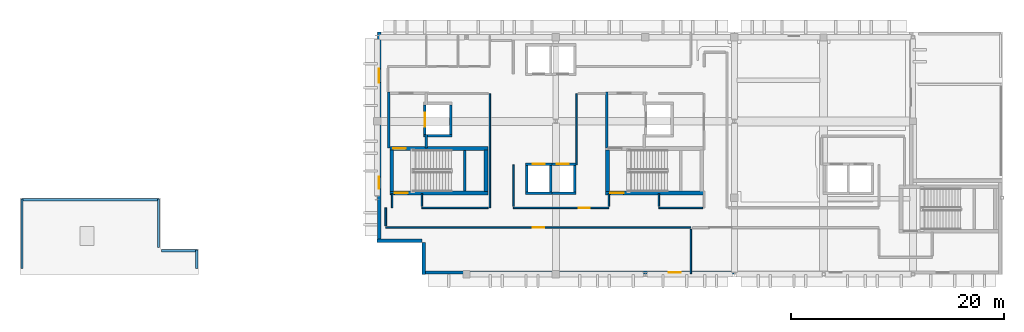
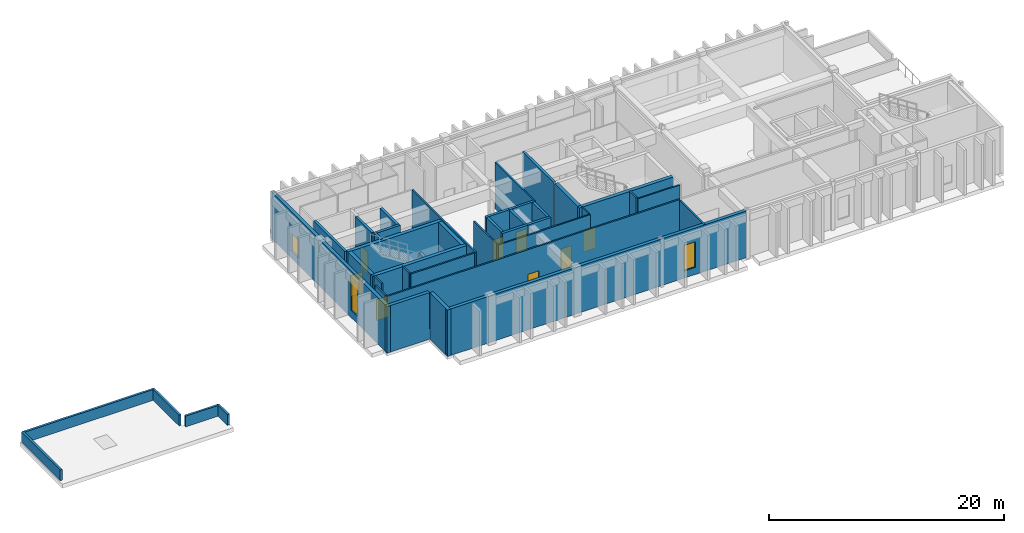
# One storey, part 5 of 9: 42 walls, 8 doors, 3 windows, 11 openings.
"""IFC4 building model written with IfcOpenShell, lengths in metres."""

from ifc_helpers import new_model, si_unit, direction, frame, frame_2d, origin, place, context, subcontext, project, spatial, rectangle, extrude, material, layer, layer_set, type_object, element, fill, save


model = new_model("IFC4")

# Units and contexts
model_context = context("Model", 3, precision=1e-05, world=origin(), true_north=direction((0.0, 1.0)))
body_context = subcontext(model_context, "Body", "Model", "MODEL_VIEW")
ifc_project = project(units=[si_unit("LENGTHUNIT", "METRE"), si_unit("AREAUNIT", "SQUARE_METRE"), si_unit("VOLUMEUNIT", "CUBIC_METRE"), si_unit("PLANEANGLEUNIT", "RADIAN"), si_unit("MASSUNIT", "GRAM", prefix="KILO")], contexts=[model_context])

# Site, building, storey
site_placement = place(None, origin())
site = spatial("IfcSite", under=ifc_project, at=site_placement, CompositionType="ELEMENT")
building_placement = place(site_placement, origin())
building = spatial("IfcBuilding", under=site, at=building_placement, Name="Quendrovan Civic Courthouse", CompositionType="ELEMENT")
storey_placement = place(building_placement, frame((0.0, 0.0, 30.60009765625)))
storey = spatial("IfcBuildingStorey", under=building, at=storey_placement, Name="L07", CompositionType="ELEMENT", Elevation=30.60009765625)

# Wall, opening, door
ifc_material_1 = material(Name="Acoustic gypsum stud partition")
ifc_layer_1 = layer(ifc_material_1, 0.139892578125, Name="Acoustic gypsum stud partition")
ifc_layer_set_1 = layer_set([ifc_layer_1], Name="Acoustic gypsum stud partition")
wall_type_1 = type_object("IfcWallType", Name="WL-CHM-140", PredefinedType="PARTITIONING", material=ifc_layer_set_1)
wall_1_placement = place(storey_placement, frame((55.39990234375, 93.85009765625, 0.0), z_axis=(0.0, 0.0, 1.0), x_axis=(-1.0, 0.0, 0.0)))
wall_1 = element("IfcWall", 1, at=wall_1_placement, inside=storey, type_object=wall_type_1, Name="L07 Appellate Judges' Chambers Partition 0829", PredefinedType="PARTITIONING", context=body_context, shape_type="SweptSolid", body=[
    extrude(rectangle(XDim=9.0, YDim=0.139892578125, at=frame_2d((4.5, 0.0))), origin(), (0.0, 0.0, 1.0), 4.83984375),
])
opening_1_placement = place(wall_1_placement, frame((1.820068359375, 0.0, 0.0)))
opening_1 = element("IfcOpeningElement", 2, at=opening_1_placement, cuts=wall_1, Name="Opening D-L07-118", PredefinedType="OPENING", context=body_context, shape_type="SweptSolid", body=[
    extrude(rectangle(XDim=1.0400390625, YDim=2.260009765625, at=frame_2d((0.52001953125, 1.1298828125))), frame((0.0, 0.080078125, 0.0), z_axis=(0.0, -1.0, 0.0), x_axis=(1.0, 0.0, 0.0)), (0.0, 0.0, 1.0), 0.159912109375),
])
ifc_material_2 = material(Name="Solid Western Red Cedar timber door", Category="wood")
door_type_1 = type_object("IfcDoorType", Name="DR-CHM-1040", OperationType="NOTDEFINED", PredefinedType="DOOR", material=ifc_material_2)
door_1_placement = place(opening_1_placement, origin())
door_1 = element("IfcDoor", 3, at=door_1_placement, inside=storey, type_object=door_type_1, Name="L07 Appellate Judges' Chambers Door D-L07-118", OperationType="SINGLE_SWING_LEFT", OverallHeight=2.260009765625, OverallWidth=1.0400390625, PredefinedType="DOOR", context=body_context, shape_type="SweptSolid", body=[
    extrude(rectangle(XDim=1.0400390625, YDim=2.260009765625, at=frame_2d((0.52001953125, 1.1298828125))), frame((0.0, 0.02490234375, 0.0), z_axis=(0.0, -1.0, 0.0), x_axis=(1.0, 0.0, 0.0)), (0.0, 0.0, 1.0), 0.050048828125),
])
fill(opening_1, door_1)

# Walls
wall_2_placement = place(storey_placement, frame((52.35009765625, 97.89990234375, 0.0), z_axis=(0.0, 0.0, 1.0), x_axis=(0.0, 1.0, 0.0)))
element("IfcWall", 4, at=wall_2_placement, inside=storey, type_object=wall_type_1, Name="L07 Appellate Judges' Chambers Partition 0831", PredefinedType="PARTITIONING", context=body_context, shape_type="SweptSolid", body=[
    extrude(rectangle(XDim=6.7001953125, YDim=0.139892578125, at=frame_2d((3.35009765625, 0.0))), origin(), (0.0, 0.0, 1.0), 4.83984375),
])
wall_3_placement = place(storey_placement, frame((64.199951171875, 93.85009765625, 0.0), z_axis=(0.0, 0.0, 1.0), x_axis=(-1.0, 0.0, 0.0)))
element("IfcWall", 5, at=wall_3_placement, inside=storey, type_object=wall_type_1, Name="L07 Judicial Conference Room Partition 0838", PredefinedType="PARTITIONING", context=body_context, shape_type="SweptSolid", body=[
    extrude(rectangle(XDim=4.099853515625, YDim=0.139892578125, at=frame_2d((2.0498046875, 0.0))), origin(), (0.0, 0.0, 1.0), 4.83984375),
])
wall_4_placement = place(storey_placement, frame((46.39990234375, 94.0, 0.0), z_axis=(0.0, 0.0, 1.0), x_axis=(0.0, 1.0, 0.0)))
element("IfcWall", 6, at=wall_4_placement, inside=storey, type_object=wall_type_1, Name="L07 Appellate Judges' Chambers Partition 0840", PredefinedType="PARTITIONING", context=body_context, shape_type="SweptSolid", body=[
    extrude(rectangle(XDim=3.89990234375, YDim=0.139892578125, at=frame_2d((1.949951171875, 0.0))), origin(), (0.0, 0.0, 1.0), 4.83984375),
])
for number, where, z_axis, x_axis, name in (
    (7, (55.39990234375, 95.179931640625, 0.0), (0.0, 0.0, 1.0), (0.0, -1.0, 0.0), "L07 Appellate Judges' Chambers Partition 0860"),
    (8, (60.10009765625, 94.0, 0.0), (0.0, 0.0, 1.0), (0.0, 1.0, 0.0), "L07 Judicial Conference Room Partition 0861"),
):
    element("IfcWall", number, at=place(storey_placement, frame(where, z_axis=z_axis, x_axis=x_axis)), inside=storey, type_object=wall_type_1, Name=name, PredefinedType="PARTITIONING", context=body_context, shape_type="SweptSolid", body=[
        extrude(rectangle(XDim=1.179931640625, YDim=0.139892578125, at=frame_2d((0.58984375, 0.0))), origin(), (0.0, 0.0, 1.0), 4.83984375),
    ])

# Wall, opening, door
ifc_material_3 = material(Name="Concrete C45/55", Category="concrete")
ifc_layer_2 = layer(ifc_material_3, 0.35009765625, Name="Concrete C45/55")
ifc_layer_set_2 = layer_set([ifc_layer_2], Name="Concrete C45/55")
wall_type_2 = type_object("IfcWallType", Name="WL-CORE-350", PredefinedType="SHEAR", material=ifc_layer_set_2)
wall_5_placement = place(storey_placement, frame((34.7900390625, 95.264892578125, 0.0), z_axis=(0.0, 0.0, 1.0), x_axis=(1.0, 0.0, 0.0)))
wall_5 = element("IfcWall", 9, at=wall_5_placement, inside=storey, type_object=wall_type_2, Name="L07 Core Shear Wall ST1-S", PredefinedType="SHEAR", context=body_context, shape_type="SweptSolid", body=[
    extrude(rectangle(XDim=9.219970703125, YDim=0.35009765625, at=frame_2d((4.60986328125, 0.0))), origin(), (0.0, 0.0, 1.0), 4.83984375),
])
opening_2_placement = place(wall_5_placement, frame((0.449951171875, 0.0, 0.0)))
opening_2 = element("IfcOpeningElement", 10, at=opening_2_placement, cuts=wall_5, Name="Opening DS-ST1-L07", PredefinedType="OPENING", context=body_context, shape_type="SweptSolid", body=[
    extrude(rectangle(XDim=1.25, YDim=2.199951171875, at=frame_2d((0.625, 1.10009765625))), frame((0.0, 0.18505859375, 0.0), z_axis=(0.0, -1.0, 0.0), x_axis=(1.0, 0.0, 0.0)), (0.0, 0.0, 1.0), 0.3701171875),
])
ifc_material_4 = material(Name="Painted galvanized hollow-metal steel", Category="steel")
door_type_2 = type_object("IfcDoorType", Name="DR-STAIR-1250", OperationType="NOTDEFINED", PredefinedType="DOOR", material=ifc_material_4)
door_2_placement = place(opening_2_placement, origin())
door_2 = element("IfcDoor", 11, at=door_2_placement, inside=storey, type_object=door_type_2, Name="L07 Exit Stair ST1 Fire Door", OperationType="SINGLE_SWING_LEFT", OverallHeight=2.199951171875, OverallWidth=1.25, PredefinedType="DOOR", context=body_context, shape_type="SweptSolid", body=[
    extrude(rectangle(XDim=1.25, YDim=2.199951171875, at=frame_2d((0.625, 1.10009765625))), frame((0.0, 0.02490234375, 0.0), z_axis=(0.0, -1.0, 0.0), x_axis=(1.0, 0.0, 0.0)), (0.0, 0.0, 1.0), 0.050048828125),
])
fill(opening_2, door_2)

wall_6_placement = place(storey_placement, frame((44.010009765625, 99.43505859375, 0.0), z_axis=(0.0, 0.0, 1.0), x_axis=(-1.0, 0.0, 0.0)))
wall_6 = element("IfcWall", 12, at=wall_6_placement, inside=storey, type_object=wall_type_2, Name="L07 Core Shear Wall ST1-N", PredefinedType="SHEAR", context=body_context, shape_type="SweptSolid", body=[
    extrude(rectangle(XDim=9.219970703125, YDim=0.35009765625, at=frame_2d((4.60986328125, 0.0))), origin(), (0.0, 0.0, 1.0), 4.83984375),
])
opening_3_placement = place(wall_6_placement, frame((7.719970703125, 0.0, 0.0)))
opening_3 = element("IfcOpeningElement", 13, at=opening_3_placement, cuts=wall_6, Name="Opening DFF-ST1-L07", PredefinedType="OPENING", context=body_context, shape_type="SweptSolid", body=[
    extrude(rectangle(XDim=1.199951171875, YDim=2.199951171875, at=frame_2d((0.60009765625, 1.10009765625))), frame((0.0, 0.18505859375, 0.0), z_axis=(0.0, -1.0, 0.0), x_axis=(1.0, 0.0, 0.0)), (0.0, 0.0, 1.0), 0.3701171875),
])
door_type_3 = type_object("IfcDoorType", Name="DR-FFLOB-1200", OperationType="NOTDEFINED", PredefinedType="DOOR", material=ifc_material_4)
door_3_placement = place(opening_3_placement, origin())
door_3 = element("IfcDoor", 14, at=door_3_placement, inside=storey, type_object=door_type_3, Name="L07 Firefighting Lobby FL1 Direct Stair ST1 Door", OperationType="SINGLE_SWING_RIGHT", OverallHeight=2.199951171875, OverallWidth=1.199951171875, PredefinedType="DOOR", context=body_context, shape_type="SweptSolid", body=[
    extrude(rectangle(XDim=1.199951171875, YDim=2.199951171875, at=frame_2d((0.60009765625, 1.10009765625))), frame((0.0, 0.02490234375, 0.0), z_axis=(0.0, -1.0, 0.0), x_axis=(1.0, 0.0, 0.0)), (0.0, 0.0, 1.0), 0.050048828125),
])
fill(opening_3, door_3)

# Walls
for number, where, z_axis, x_axis, name in (
    (15, (34.965087890625, 95.39990234375, 0.0), (0.0, 0.0, 1.0), (0.0, 1.0, 0.0), "L07 Core Shear Wall ST1-W"),
    (16, (43.8349609375, 99.300048828125, 0.0), (0.0, 0.0, 1.0), (0.0, -1.0, 0.0), "L07 Core Shear Wall ST1-E"),
):
    element("IfcWall", number, at=place(storey_placement, frame(where, z_axis=z_axis, x_axis=x_axis)), inside=storey, type_object=wall_type_2, Name=name, PredefinedType="SHEAR", context=body_context, shape_type="SweptSolid", body=[
        extrude(rectangle(XDim=3.900146484375, YDim=0.35009765625, at=frame_2d((1.9501953125, 0.0))), origin(), (0.0, 0.0, 1.0), 4.83984375),
    ])

# Wall, opening, door
wall_7_placement = place(storey_placement, frame((55.090087890625, 95.264892578125, 0.0), z_axis=(0.0, 0.0, 1.0), x_axis=(1.0, 0.0, 0.0)))
wall_7 = element("IfcWall", 17, at=wall_7_placement, inside=storey, type_object=wall_type_2, Name="L07 Core Shear Wall ST2-S", PredefinedType="SHEAR", context=body_context, shape_type="SweptSolid", body=[
    extrude(rectangle(XDim=9.219970703125, YDim=0.35009765625, at=frame_2d((4.60986328125, 0.0))), origin(), (0.0, 0.0, 1.0), 4.83984375),
])
opening_4_placement = place(wall_7_placement, frame((0.449951171875, 0.0, 0.0)))
opening_4 = element("IfcOpeningElement", 18, at=opening_4_placement, cuts=wall_7, Name="Opening DS-ST2-L07", PredefinedType="OPENING", context=body_context, shape_type="SweptSolid", body=[
    extrude(rectangle(XDim=1.25, YDim=2.199951171875, at=frame_2d((0.625, 1.10009765625))), frame((0.0, 0.18505859375, 0.0), z_axis=(0.0, -1.0, 0.0), x_axis=(1.0, 0.0, 0.0)), (0.0, 0.0, 1.0), 0.3701171875),
])
door_4_placement = place(opening_4_placement, origin())
door_4 = element("IfcDoor", 19, at=door_4_placement, inside=storey, type_object=door_type_2, Name="L07 Exit Stair ST2 Fire Door", OperationType="SINGLE_SWING_RIGHT", OverallHeight=2.199951171875, OverallWidth=1.25, PredefinedType="DOOR", context=body_context, shape_type="SweptSolid", body=[
    extrude(rectangle(XDim=1.25, YDim=2.199951171875, at=frame_2d((0.625, 1.10009765625))), frame((0.0, 0.02490234375, 0.0), z_axis=(0.0, -1.0, 0.0), x_axis=(1.0, 0.0, 0.0)), (0.0, 0.0, 1.0), 0.050048828125),
])
fill(opening_4, door_4)

# Wall
wall_8_placement = place(storey_placement, frame((55.264892578125, 95.39990234375, 0.0), z_axis=(0.0, 0.0, 1.0), x_axis=(0.0, 1.0, 0.0)))
element("IfcWall", 20, at=wall_8_placement, inside=storey, type_object=wall_type_2, Name="L07 Core Shear Wall ST2-W", PredefinedType="SHEAR", context=body_context, shape_type="SweptSolid", body=[
    extrude(rectangle(XDim=3.900146484375, YDim=0.35009765625, at=frame_2d((1.9501953125, 0.0))), origin(), (0.0, 0.0, 1.0), 4.83984375),
])

# Wall, opening, window
ifc_material_5 = material(Name="Precast concrete C45/55", Category="concrete")
ifc_layer_3 = layer(ifc_material_5, 0.320068359375, Name="Precast concrete C45/55")
ifc_layer_set_3 = layer_set([ifc_layer_3], Name="Precast concrete C45/55")
wall_type_3 = type_object("IfcWallType", Name="WL-EXT-PC320", PredefinedType="SOLIDWALL", material=ifc_layer_set_3)
wall_9_placement = place(storey_placement, frame((67.199951171875, 87.780029296875, 0.0), z_axis=(0.0, 0.0, 1.0), x_axis=(-1.0, 0.0, 0.0)))
wall_9 = element("IfcWall", 21, at=wall_9_placement, inside=storey, type_object=wall_type_3, Name="L07 Exterior Precast Concrete Wall 508", PredefinedType="SOLIDWALL", context=body_context, shape_type="SweptSolid", body=[
    extrude(rectangle(XDim=29.39990234375, YDim=0.320068359375, at=frame_2d((14.699951171875, 0.0))), origin(), (0.0, 0.0, 1.0), 4.83984375),
])
opening_5_placement = place(wall_9_placement, frame((5.0400390625, 0.0, 0.75)))
opening_5 = element("IfcOpeningElement", 22, at=opening_5_placement, cuts=wall_9, Name="Opening W18", PredefinedType="OPENING", context=body_context, shape_type="SweptSolid", body=[
    extrude(rectangle(XDim=1.1201171875, YDim=2.64990234375, at=frame_2d((0.56005859375, 1.324951171875))), frame((0.0, 0.169921875, 0.0), z_axis=(0.0, -1.0, 0.0), x_axis=(1.0, 0.0, 0.0)), (0.0, 0.0, 1.0), 0.340087890625),
])
ifc_material_6 = material(Name="Laminated hurricane-impact low-E glass", Category="glass")
window_type_1 = type_object("IfcWindowType", Name="WIN-SLT-18", PartitioningType="SINGLE_PANEL", PredefinedType="WINDOW", material=ifc_material_6)
window_1_placement = place(opening_5_placement, origin())
window_1 = element("IfcWindow", 23, at=window_1_placement, inside=storey, type_object=window_type_1, Name="L07 Courtroom Shaded Slot Window 0050", OverallHeight=2.64990234375, OverallWidth=1.1201171875, PartitioningType="SINGLE_PANEL", PredefinedType="WINDOW", context=body_context, shape_type="SweptSolid", body=[
    extrude(rectangle(XDim=1.1201171875, YDim=2.64990234375, at=frame_2d((0.56005859375, 1.324951171875))), frame((0.0, 0.030029296875, 0.0), z_axis=(0.0, -1.0, 0.0), x_axis=(1.0, 0.0, 0.0)), (0.0, 0.0, 1.0), 0.06005859375),
])
fill(opening_5, window_1)

# Walls
wall_10_placement = place(storey_placement, frame((37.97998046875, 87.60009765625, 0.0), z_axis=(0.0, 0.0, 1.0), x_axis=(0.0, 1.0, 0.0)))
element("IfcWall", 24, at=wall_10_placement, inside=storey, type_object=wall_type_3, Name="L07 Exterior Precast Concrete Wall 509", PredefinedType="SOLIDWALL", context=body_context, shape_type="SweptSolid", body=[
    extrude(rectangle(XDim=3.0, YDim=0.320068359375, at=frame_2d((1.5, 0.0))), origin(), (0.0, 0.0, 1.0), 4.83984375),
])
wall_11_placement = place(storey_placement, frame((37.800048828125, 90.780029296875, 0.0), z_axis=(0.0, 0.0, 1.0), x_axis=(-1.0, 0.0, 0.0)))
element("IfcWall", 25, at=wall_11_placement, inside=storey, type_object=wall_type_3, Name="L07 Exterior Precast Concrete Wall 510", PredefinedType="SOLIDWALL", context=body_context, shape_type="SweptSolid", body=[
    extrude(rectangle(XDim=4.199951171875, YDim=0.320068359375, at=frame_2d((2.10009765625, 0.0))), origin(), (0.0, 0.0, 1.0), 4.83984375),
])

# Wall, openings, windows
wall_12_placement = place(storey_placement, frame((33.780029296875, 90.60009765625, 0.0), z_axis=(0.0, 0.0, 1.0), x_axis=(0.0, 1.0, 0.0)))
wall_12 = element("IfcWall", 26, at=wall_12_placement, inside=storey, type_object=wall_type_3, Name="L07 Exterior Precast Concrete Wall 511", PredefinedType="SOLIDWALL", context=body_context, shape_type="SweptSolid", body=[
    extrude(rectangle(XDim=19.7998046875, YDim=0.320068359375, at=frame_2d((9.89990234375, 0.0))), origin(), (0.0, 0.0, 1.0), 4.83984375),
])
opening_6_placement = place(wall_12_placement, frame((5.0400390625, 0.0, 0.75)))
opening_6 = element("IfcOpeningElement", 27, at=opening_6_placement, cuts=wall_12, Name="Opening W19", PredefinedType="OPENING", context=body_context, shape_type="SweptSolid", body=[
    extrude(rectangle(XDim=1.1201171875, YDim=3.050048828125, at=frame_2d((0.56005859375, 1.52490234375))), frame((0.0, 0.169921875, 0.0), z_axis=(0.0, -1.0, 0.0), x_axis=(1.0, 0.0, 0.0)), (0.0, 0.0, 1.0), 0.340087890625),
])
opening_7_placement = place(wall_12_placement, frame((15.0400390625, 0.0, 0.75)))
opening_7 = element("IfcOpeningElement", 28, at=opening_7_placement, cuts=wall_12, Name="Opening W21", PredefinedType="OPENING", context=body_context, shape_type="SweptSolid", body=[
    extrude(rectangle(XDim=1.280029296875, YDim=1.85009765625, at=frame_2d((0.64013671875, 0.925048828125))), frame((0.0, 0.169921875, 0.0), z_axis=(0.0, -1.0, 0.0), x_axis=(1.0, 0.0, 0.0)), (0.0, 0.0, 1.0), 0.340087890625),
])
window_type_2 = type_object("IfcWindowType", Name="WIN-SLT-19", PartitioningType="SINGLE_PANEL", PredefinedType="WINDOW", material=ifc_material_6)
window_2_placement = place(opening_6_placement, origin())
window_2 = element("IfcWindow", 29, at=window_2_placement, inside=storey, type_object=window_type_2, Name="L07 Courtroom Shaded Slot Window 0051", OverallHeight=3.050048828125, OverallWidth=1.1201171875, PartitioningType="SINGLE_PANEL", PredefinedType="WINDOW", context=body_context, shape_type="SweptSolid", body=[
    extrude(rectangle(XDim=1.1201171875, YDim=3.050048828125, at=frame_2d((0.56005859375, 1.52490234375))), frame((0.0, 0.030029296875, 0.0), z_axis=(0.0, -1.0, 0.0), x_axis=(1.0, 0.0, 0.0)), (0.0, 0.0, 1.0), 0.06005859375),
])
fill(opening_6, window_2)
window_type_3 = type_object("IfcWindowType", Name="WIN-SLT-21", PartitioningType="SINGLE_PANEL", PredefinedType="WINDOW", material=ifc_material_6)
window_3_placement = place(opening_7_placement, origin())
window_3 = element("IfcWindow", 30, at=window_3_placement, inside=storey, type_object=window_type_3, Name="L07 Courtroom Shaded Slot Window 0052", OverallHeight=1.85009765625, OverallWidth=1.280029296875, PartitioningType="SINGLE_PANEL", PredefinedType="WINDOW", context=body_context, shape_type="SweptSolid", body=[
    extrude(rectangle(XDim=1.280029296875, YDim=1.85009765625, at=frame_2d((0.64013671875, 0.925048828125))), frame((0.0, 0.030029296875, 0.0), z_axis=(0.0, -1.0, 0.0), x_axis=(1.0, 0.0, 0.0)), (0.0, 0.0, 1.0), 0.06005859375),
])
fill(opening_7, window_3)

# Walls
ifc_material_7 = material(Name="Concrete C40/50", Category="concrete")
ifc_layer_4 = layer(ifc_material_7, 0.22998046875, Name="Concrete C40/50")
ifc_layer_set_4 = layer_set([ifc_layer_4], Name="Concrete C40/50")
wall_type_4 = type_object("IfcWallType", Name="WL-FFLOB-230", PredefinedType="PARTITIONING", material=ifc_layer_set_4)
wall_13_placement = place(storey_placement, frame((34.699951171875, 99.5, 0.0), z_axis=(0.0, 0.0, 1.0), x_axis=(0.0, 1.0, 0.0)))
element("IfcWall", 31, at=wall_13_placement, inside=storey, type_object=wall_type_4, Name="L07 Firefighting Lift Lobby FL1 Wall W", PredefinedType="PARTITIONING", context=body_context, shape_type="SweptSolid", body=[
    extrude(rectangle(XDim=5.260009765625, YDim=0.22998046875, at=frame_2d((2.6298828125, 0.0))), origin(), (0.0, 0.0, 1.0), 4.83984375),
])
wall_14_placement = place(storey_placement, frame((38.199951171875, 100.75, 0.0), z_axis=(0.0, 0.0, 1.0), x_axis=(0.0, -1.0, 0.0)))
element("IfcWall", 32, at=wall_14_placement, inside=storey, type_object=wall_type_4, Name="L07 Firefighting Lift Lobby FL1 Wall ES", PredefinedType="PARTITIONING", context=body_context, shape_type="SweptSolid", body=[
    extrude(rectangle(XDim=1.25, YDim=0.22998046875, at=frame_2d((0.625, 0.0))), origin(), (0.0, 0.0, 1.0), 4.83984375),
])
wall_15_placement = place(storey_placement, frame((55.199951171875, 99.5, 0.0), z_axis=(0.0, 0.0, 1.0), x_axis=(0.0, 1.0, 0.0)))
element("IfcWall", 33, at=wall_15_placement, inside=storey, type_object=wall_type_4, Name="L07 Firefighting Lift Lobby FL2 Wall W", PredefinedType="PARTITIONING", context=body_context, shape_type="SweptSolid", body=[
    extrude(rectangle(XDim=5.260009765625, YDim=0.22998046875, at=frame_2d((2.6298828125, 0.0))), origin(), (0.0, 0.0, 1.0), 4.83984375),
])

# Wall, opening, door
ifc_layer_5 = layer(ifc_material_1, 0.14990234375, Name="Acoustic gypsum stud partition")
ifc_layer_set_5 = layer_set([ifc_layer_5], Name="Acoustic gypsum stud partition")
wall_type_5 = type_object("IfcWallType", Name="WL-JURY-150", PredefinedType="PARTITIONING", material=ifc_layer_set_5)
wall_16_placement = place(storey_placement, frame((34.39990234375, 92.0, 0.0), z_axis=(0.0, 0.0, 1.0), x_axis=(1.0, 0.0, 0.0)))
wall_16 = element("IfcWall", 34, at=wall_16_placement, inside=storey, type_object=wall_type_5, Name="L07 Jury Room Partition 0821", PredefinedType="PARTITIONING", context=body_context, shape_type="SweptSolid", body=[
    extrude(rectangle(XDim=28.710205078125, YDim=0.14990234375, at=frame_2d((14.35498046875, 0.0))), origin(), (0.0, 0.0, 1.0), 4.83984375),
])
opening_8_placement = place(wall_16_placement, frame((13.81494140625, 0.0, 0.0)))
opening_8 = element("IfcOpeningElement", 35, at=opening_8_placement, cuts=wall_16, Name="Opening D-L07-116", PredefinedType="OPENING", context=body_context, shape_type="SweptSolid", body=[
    extrude(rectangle(XDim=1.080078125, YDim=2.280029296875, at=frame_2d((0.5400390625, 1.14013671875))), frame((0.0, 0.0849609375, 0.0), z_axis=(0.0, -1.0, 0.0), x_axis=(1.0, 0.0, 0.0)), (0.0, 0.0, 1.0), 0.169921875),
])
ifc_material_8 = material(Name="Acoustic solid timber door", Category="wood")
door_type_4 = type_object("IfcDoorType", Name="DR-JURY-1080", OperationType="NOTDEFINED", PredefinedType="DOOR", material=ifc_material_8)
door_5_placement = place(opening_8_placement, origin())
door_5 = element("IfcDoor", 36, at=door_5_placement, inside=storey, type_object=door_type_4, Name="L07 Jury Room Door D-L07-116", OperationType="SINGLE_SWING_LEFT", OverallHeight=2.280029296875, OverallWidth=1.080078125, PredefinedType="DOOR", context=body_context, shape_type="SweptSolid", body=[
    extrude(rectangle(XDim=1.080078125, YDim=2.280029296875, at=frame_2d((0.5400390625, 1.14013671875))), frame((0.0, 0.02490234375, 0.0), z_axis=(0.0, -1.0, 0.0), x_axis=(1.0, 0.0, 0.0)), (0.0, 0.0, 1.0), 0.050048828125),
])
fill(opening_8, door_5)

# Walls
wall_17_placement = place(storey_placement, frame((44.199951171875, 104.60009765625, 0.0), z_axis=(0.0, 0.0, 1.0), x_axis=(0.0, -1.0, 0.0)))
element("IfcWall", 37, at=wall_17_placement, inside=storey, type_object=wall_type_5, Name="L07 Jury Room Partition 0826", PredefinedType="PARTITIONING", context=body_context, shape_type="SweptSolid", body=[
    extrude(rectangle(XDim=10.75, YDim=0.14990234375, at=frame_2d((5.375, 0.0))), origin(), (0.0, 0.0, 1.0), 4.83984375),
])
wall_18_placement = place(storey_placement, frame((44.044921875, 93.85009765625, 0.0), z_axis=(0.0, 0.0, 1.0), x_axis=(-1.0, 0.0, 0.0)))
element("IfcWall", 38, at=wall_18_placement, inside=storey, type_object=wall_type_5, Name="L07 Jury Room Partition 0832", PredefinedType="PARTITIONING", context=body_context, shape_type="SweptSolid", body=[
    extrude(rectangle(XDim=6.244873046875, YDim=0.14990234375, at=frame_2d((3.12255859375, 0.0))), origin(), (0.0, 0.0, 1.0), 4.83984375),
])
wall_19_placement = place(storey_placement, frame((63.110107421875, 91.844970703125, 0.0), z_axis=(0.0, 0.0, 1.0), x_axis=(0.0, -1.0, 0.0)))
element("IfcWall", 39, at=wall_19_placement, inside=storey, type_object=wall_type_5, Name="L07 Jury Room Partition 0836", PredefinedType="PARTITIONING", context=body_context, shape_type="SweptSolid", body=[
    extrude(rectangle(XDim=4.18505859375, YDim=0.14990234375, at=frame_2d((2.092529296875, 0.0))), origin(), (0.0, 0.0, 1.0), 4.83984375),
])
wall_20_placement = place(storey_placement, frame((34.39990234375, 93.85009765625, 0.0), z_axis=(0.0, 0.0, 1.0), x_axis=(0.0, -1.0, 0.0)))
element("IfcWall", 40, at=wall_20_placement, inside=storey, type_object=wall_type_5, Name="L07 Jury Room Partition 0856", PredefinedType="PARTITIONING", context=body_context, shape_type="SweptSolid", body=[
    extrude(rectangle(XDim=1.695068359375, YDim=0.14990234375, at=frame_2d((0.84765625, 0.0))), origin(), (0.0, 0.0, 1.0), 4.83984375),
])
wall_21_placement = place(storey_placement, frame((37.800048828125, 94.0048828125, 0.0), z_axis=(0.0, 0.0, 1.0), x_axis=(0.0, 1.0, 0.0)))
element("IfcWall", 41, at=wall_21_placement, inside=storey, type_object=wall_type_5, Name="L07 Jury Room Partition 0858", PredefinedType="PARTITIONING", context=body_context, shape_type="SweptSolid", body=[
    extrude(rectangle(XDim=1.175048828125, YDim=0.14990234375, at=frame_2d((0.58740234375, 0.0))), origin(), (0.0, 0.0, 1.0), 4.83984375),
])
wall_22_placement = place(storey_placement, frame((35.0, 95.179931640625, 0.0), z_axis=(0.0, 0.0, 1.0), x_axis=(0.0, -1.0, 0.0)))
element("IfcWall", 42, at=wall_22_placement, inside=storey, type_object=wall_type_5, Name="L07 Jury Room Partition 0859", PredefinedType="PARTITIONING", context=body_context, shape_type="SweptSolid", body=[
    extrude(rectangle(XDim=1.329833984375, YDim=0.14990234375, at=frame_2d((0.6650390625, 0.0))), origin(), (0.0, 0.0, 1.0), 4.83984375),
])
ifc_layer_6 = layer(ifc_material_5, 0.2099609375, Name="Precast concrete C45/55")
ifc_layer_set_6 = layer_set([ifc_layer_6], Name="Precast concrete C45/55")
wall_type_6 = type_object("IfcWallType", Name="WL-PARAPET-210", PredefinedType="PARAPET", material=ifc_layer_set_6)
wall_23_placement = place(storey_placement, frame((13.02001953125, 94.679931640625, 0.0), z_axis=(0.0, 0.0, 1.0), x_axis=(0.0, -1.0, 0.0)))
element("IfcWall", 43, at=wall_23_placement, inside=storey, type_object=wall_type_6, Name="L07 Precast Roof Parapet Wall 60", PredefinedType="PARAPET", context=body_context, shape_type="SweptSolid", body=[
    extrude(rectangle(XDim=4.559814453125, YDim=0.2099609375, at=frame_2d((2.27978515625, 0.0))), origin(), (0.0, 0.0, 1.0), 1.119873046875),
])
wall_24_placement = place(storey_placement, frame((13.320068359375, 89.820068359375, 0.0), z_axis=(0.0, 0.0, 1.0), x_axis=(1.0, 0.0, 0.0)))
element("IfcWall", 44, at=wall_24_placement, inside=storey, type_object=wall_type_6, Name="L07 Precast Roof Parapet Wall 61", PredefinedType="PARAPET", context=body_context, shape_type="SweptSolid", body=[
    extrude(rectangle(XDim=3.35986328125, YDim=0.2099609375, at=frame_2d((1.679931640625, 0.0))), origin(), (0.0, 0.0, 1.0), 1.119873046875),
])
wall_25_placement = place(storey_placement, frame((16.6201171875, 89.8798828125, 0.0), z_axis=(0.0, 0.0, 1.0), x_axis=(0.0, -1.0, 0.0)))
element("IfcWall", 45, at=wall_25_placement, inside=storey, type_object=wall_type_6, Name="L07 Precast Roof Parapet Wall 62", PredefinedType="PARAPET", context=body_context, shape_type="SweptSolid", body=[
    extrude(rectangle(XDim=1.739990234375, YDim=0.2099609375, at=frame_2d((0.8701171875, 0.0))), origin(), (0.0, 0.0, 1.0), 1.119873046875),
])
wall_26_placement = place(storey_placement, frame((0.199951171875, 88.139892578125, 0.0), z_axis=(0.0, 0.0, 1.0), x_axis=(0.0, 1.0, 0.0)))
element("IfcWall", 46, at=wall_26_placement, inside=storey, type_object=wall_type_6, Name="L07 Precast Roof Parapet Wall 63", PredefinedType="PARAPET", context=body_context, shape_type="SweptSolid", body=[
    extrude(rectangle(XDim=6.5400390625, YDim=0.2099609375, at=frame_2d((3.27001953125, 0.0))), origin(), (0.0, 0.0, 1.0), 1.119873046875),
])
wall_27_placement = place(storey_placement, frame((0.199951171875, 94.6201171875, 0.0), z_axis=(0.0, 0.0, 1.0), x_axis=(1.0, 0.0, 0.0)))
element("IfcWall", 47, at=wall_27_placement, inside=storey, type_object=wall_type_6, Name="L07 Precast Roof Parapet Wall 64", PredefinedType="PARAPET", context=body_context, shape_type="SweptSolid", body=[
    extrude(rectangle(XDim=12.880126953125, YDim=0.2099609375, at=frame_2d((6.43994140625, 0.0))), origin(), (0.0, 0.0, 1.0), 1.119873046875),
])
ifc_layer_7 = layer(ifc_material_3, 0.25, Name="Concrete C45/55")
ifc_layer_set_7 = layer_set([ifc_layer_7], Name="Concrete C45/55")
wall_type_7 = type_object("IfcWallType", Name="WL-SHAFT-250", PredefinedType="SHEAR", material=ifc_layer_set_7)
wall_28_placement = place(storey_placement, frame((41.85009765625, 95.449951171875, 0.0), z_axis=(0.0, 0.0, 1.0), x_axis=(0.0, 1.0, 0.0)))
element("IfcWall", 48, at=wall_28_placement, inside=storey, type_object=wall_type_7, Name="L07 Stair ST1 Mid-Landing Bearing Wall", PredefinedType="SHEAR", context=body_context, shape_type="SweptSolid", body=[
    extrude(rectangle(XDim=3.800048828125, YDim=0.25, at=frame_2d((1.89990234375, 0.0))), origin(), (0.0, 0.0, 1.0), 2.369873046875),
])
wall_29_placement = place(storey_placement, frame((47.550048828125, 95.22509765625, 0.0), z_axis=(0.0, 0.0, 1.0), x_axis=(1.0, 0.0, 0.0)))
element("IfcWall", 49, at=wall_29_placement, inside=storey, type_object=wall_type_7, Name="L07 Lift Hoistway Wall PL3 -Y", PredefinedType="SHEAR", context=body_context, shape_type="SweptSolid", body=[
    extrude(rectangle(XDim=2.5, YDim=0.25, at=frame_2d((1.25, 0.0))), origin(), (0.0, 0.0, 1.0), 4.83984375),
])

# Wall, opening, door
wall_30_placement = place(storey_placement, frame((50.050048828125, 97.97509765625, 0.0), z_axis=(0.0, 0.0, 1.0), x_axis=(-1.0, 0.0, 0.0)))
wall_30 = element("IfcWall", 50, at=wall_30_placement, inside=storey, type_object=wall_type_7, Name="L07 Lift Hoistway Wall PL3 +Y", PredefinedType="SHEAR", context=body_context, shape_type="SweptSolid", body=[
    extrude(rectangle(XDim=2.5, YDim=0.25, at=frame_2d((1.25, 0.0))), origin(), (0.0, 0.0, 1.0), 4.83984375),
])
opening_9_placement = place(wall_30_placement, frame((0.699951171875, 0.0, 0.0)))
opening_9 = element("IfcOpeningElement", 51, at=opening_9_placement, cuts=wall_30, Name="Opening LD-PL3-L07", PredefinedType="OPENING", context=body_context, shape_type="SweptSolid", body=[
    extrude(rectangle(XDim=1.10009765625, YDim=2.199951171875, at=frame_2d((0.550048828125, 1.10009765625))), frame((0.0, 0.135009765625, 0.0), z_axis=(0.0, -1.0, 0.0), x_axis=(1.0, 0.0, 0.0)), (0.0, 0.0, 1.0), 0.27001953125),
])
ifc_material_9 = material(Name="Brushed bronze-anodised stainless steel", Category="steel")
door_type_5 = type_object("IfcDoorType", Name="DR-LIFT-LD-PL", OperationType="NOTDEFINED", PredefinedType="DOOR", material=ifc_material_9)
door_6_placement = place(opening_9_placement, origin())
door_6 = element("IfcDoor", 52, at=door_6_placement, inside=storey, type_object=door_type_5, Name="L07 Lift PL3 Sliding Landing Door", OperationType="SLIDING_TO_RIGHT", OverallHeight=2.199951171875, OverallWidth=1.10009765625, PredefinedType="DOOR", context=body_context, shape_type="SweptSolid", body=[
    extrude(rectangle(XDim=1.10009765625, YDim=2.199951171875, at=frame_2d((0.550048828125, 1.10009765625))), frame((0.0, 0.02490234375, 0.0), z_axis=(0.0, -1.0, 0.0), x_axis=(1.0, 0.0, 0.0)), (0.0, 0.0, 1.0), 0.050048828125),
])
fill(opening_9, door_6)

# Walls
for number, where, z_axis, x_axis, name in (
    (53, (47.675048828125, 95.35009765625, 0.0), (0.0, 0.0, 1.0), (0.0, 1.0, 0.0), "L07 Lift Hoistway Wall PL3 -X"),
    (54, (49.925048828125, 97.85009765625, 0.0), (0.0, 0.0, 1.0), (0.0, -1.0, 0.0), "L07 Lift Hoistway Wall PL3 +X"),
    (55, (49.800048828125, 95.22509765625, 0.0), (0.0, 0.0, 1.0), (1.0, 0.0, 0.0), "L07 Lift Hoistway Wall PL4 -Y"),
):
    element("IfcWall", number, at=place(storey_placement, frame(where, z_axis=z_axis, x_axis=x_axis)), inside=storey, type_object=wall_type_7, Name=name, PredefinedType="SHEAR", context=body_context, shape_type="SweptSolid", body=[
        extrude(rectangle(XDim=2.5, YDim=0.25, at=frame_2d((1.25, 0.0))), origin(), (0.0, 0.0, 1.0), 4.83984375),
    ])

# Wall, opening, door
wall_31_placement = place(storey_placement, frame((52.300048828125, 97.97509765625, 0.0), z_axis=(0.0, 0.0, 1.0), x_axis=(-1.0, 0.0, 0.0)))
wall_31 = element("IfcWall", 56, at=wall_31_placement, inside=storey, type_object=wall_type_7, Name="L07 Lift Hoistway Wall PL4 +Y", PredefinedType="SHEAR", context=body_context, shape_type="SweptSolid", body=[
    extrude(rectangle(XDim=2.5, YDim=0.25, at=frame_2d((1.25, 0.0))), origin(), (0.0, 0.0, 1.0), 4.83984375),
])
opening_10_placement = place(wall_31_placement, frame((0.699951171875, 0.0, 0.0)))
opening_10 = element("IfcOpeningElement", 57, at=opening_10_placement, cuts=wall_31, Name="Opening LD-PL4-L07", PredefinedType="OPENING", context=body_context, shape_type="SweptSolid", body=[
    extrude(rectangle(XDim=1.10009765625, YDim=2.199951171875, at=frame_2d((0.550048828125, 1.10009765625))), frame((0.0, 0.135009765625, 0.0), z_axis=(0.0, -1.0, 0.0), x_axis=(1.0, 0.0, 0.0)), (0.0, 0.0, 1.0), 0.27001953125),
])
door_7_placement = place(opening_10_placement, origin())
door_7 = element("IfcDoor", 58, at=door_7_placement, inside=storey, type_object=door_type_5, Name="L07 Lift PL4 Sliding Landing Door", OperationType="SLIDING_TO_RIGHT", OverallHeight=2.199951171875, OverallWidth=1.10009765625, PredefinedType="DOOR", context=body_context, shape_type="SweptSolid", body=[
    extrude(rectangle(XDim=1.10009765625, YDim=2.199951171875, at=frame_2d((0.550048828125, 1.10009765625))), frame((0.0, 0.02490234375, 0.0), z_axis=(0.0, -1.0, 0.0), x_axis=(1.0, 0.0, 0.0)), (0.0, 0.0, 1.0), 0.050048828125),
])
fill(opening_10, door_7)

# Walls
wall_32_placement = place(storey_placement, frame((52.175048828125, 97.85009765625, 0.0), z_axis=(0.0, 0.0, 1.0), x_axis=(0.0, -1.0, 0.0)))
element("IfcWall", 59, at=wall_32_placement, inside=storey, type_object=wall_type_7, Name="L07 Lift Hoistway Wall PL4 +X", PredefinedType="SHEAR", context=body_context, shape_type="SweptSolid", body=[
    extrude(rectangle(XDim=2.5, YDim=0.25, at=frame_2d((1.25, 0.0))), origin(), (0.0, 0.0, 1.0), 4.83984375),
])
wall_33_placement = place(storey_placement, frame((37.949951171875, 100.625, 0.0), z_axis=(0.0, 0.0, 1.0), x_axis=(1.0, 0.0, 0.0)))
element("IfcWall", 60, at=wall_33_placement, inside=storey, type_object=wall_type_7, Name="L07 Lift Hoistway Wall FL1 -Y", PredefinedType="SHEAR", context=body_context, shape_type="SweptSolid", body=[
    extrude(rectangle(XDim=2.699951171875, YDim=0.25, at=frame_2d((1.35009765625, 0.0))), origin(), (0.0, 0.0, 1.0), 4.83984375),
])

# Wall, opening, door
wall_34_placement = place(storey_placement, frame((38.074951171875, 100.75, 0.0), z_axis=(0.0, 0.0, 1.0), x_axis=(0.0, 1.0, 0.0)))
wall_34 = element("IfcWall", 61, at=wall_34_placement, inside=storey, type_object=wall_type_7, Name="L07 Lift Hoistway Wall FL1 -X", PredefinedType="SHEAR", context=body_context, shape_type="SweptSolid", body=[
    extrude(rectangle(XDim=2.800048828125, YDim=0.25, at=frame_2d((1.39990234375, 0.0))), origin(), (0.0, 0.0, 1.0), 4.83984375),
])
opening_11_placement = place(wall_34_placement, frame((0.75, 0.0, 0.0)))
opening_11 = element("IfcOpeningElement", 62, at=opening_11_placement, cuts=wall_34, Name="Opening LD-FL1-L07", PredefinedType="OPENING", context=body_context, shape_type="SweptSolid", body=[
    extrude(rectangle(XDim=1.300048828125, YDim=2.25, at=frame_2d((0.64990234375, 1.125))), frame((0.0, 0.135009765625, 0.0), z_axis=(0.0, -1.0, 0.0), x_axis=(1.0, 0.0, 0.0)), (0.0, 0.0, 1.0), 0.27001953125),
])
ifc_material_10 = material(Name="Smoke-tight fire-service stainless steel", Category="steel")
door_type_6 = type_object("IfcDoorType", Name="DR-LIFT-LD-FL", OperationType="NOTDEFINED", PredefinedType="DOOR", material=ifc_material_10)
door_8_placement = place(opening_11_placement, origin())
door_8 = element("IfcDoor", 63, at=door_8_placement, inside=storey, type_object=door_type_6, Name="L07 Lift FL1 Sliding Landing Door", OperationType="SLIDING_TO_RIGHT", OverallHeight=2.25, OverallWidth=1.300048828125, PredefinedType="DOOR", context=body_context, shape_type="SweptSolid", body=[
    extrude(rectangle(XDim=1.300048828125, YDim=2.25, at=frame_2d((0.64990234375, 1.125))), frame((0.0, 0.02490234375, 0.0), z_axis=(0.0, -1.0, 0.0), x_axis=(1.0, 0.0, 0.0)), (0.0, 0.0, 1.0), 0.050048828125),
])
fill(opening_11, door_8)

# Wall
wall_35_placement = place(storey_placement, frame((40.52490234375, 103.550048828125, 0.0), z_axis=(0.0, 0.0, 1.0), x_axis=(0.0, -1.0, 0.0)))
element("IfcWall", 64, at=wall_35_placement, inside=storey, type_object=wall_type_7, Name="L07 Lift Hoistway Wall FL1 +X", PredefinedType="SHEAR", context=body_context, shape_type="SweptSolid", body=[
    extrude(rectangle(XDim=2.800048828125, YDim=0.25, at=frame_2d((1.39990234375, 0.0))), origin(), (0.0, 0.0, 1.0), 4.83984375),
])

save(model, "model.ifc")
